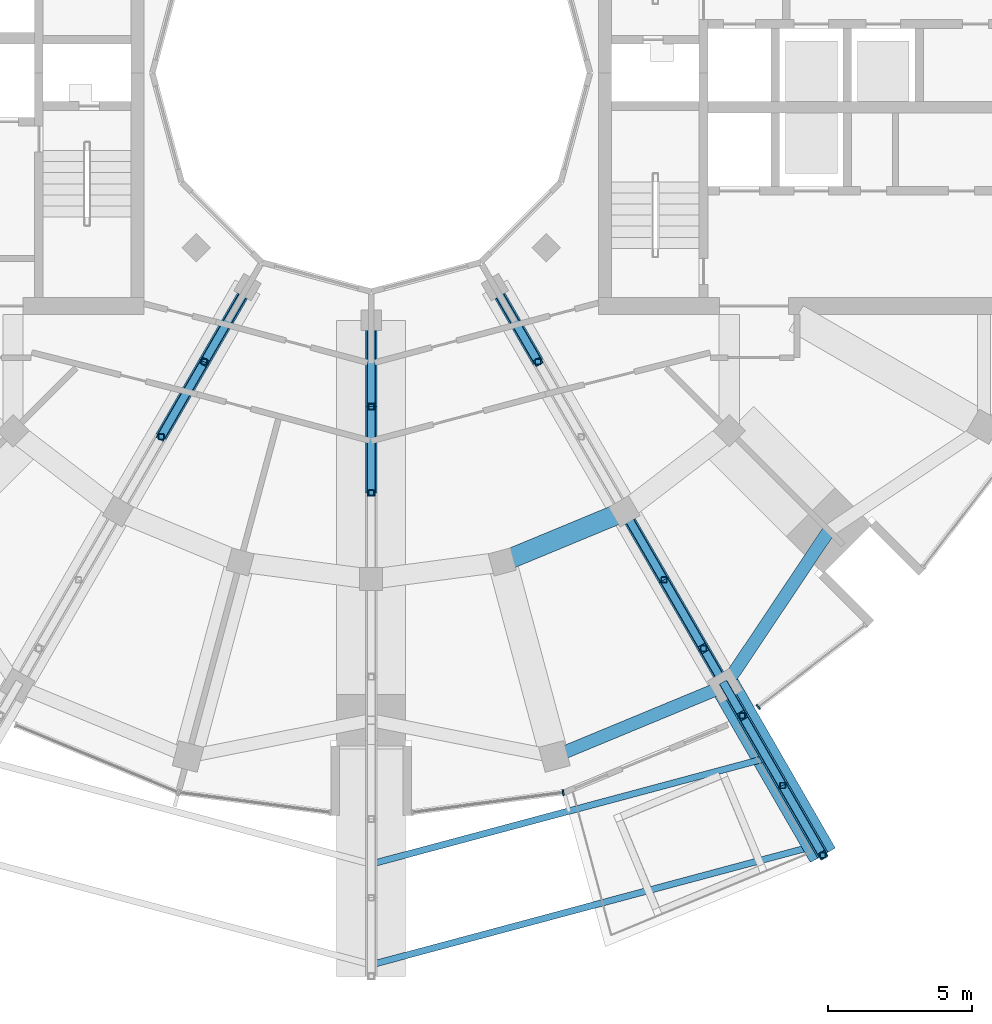
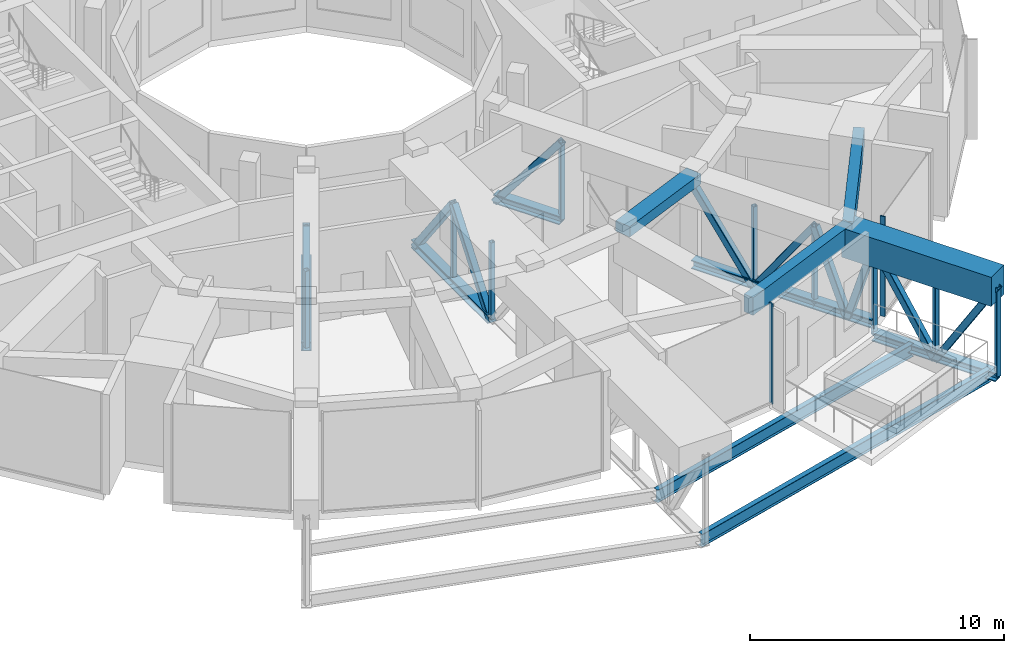
# One storey, part 4 of 17: 34 members, 6 beams, 2 elements without a shape of their own.
"""IFC4 building model written with IfcOpenShell, lengths in metres."""

from ifc_helpers import new_model, si_unit, direction, frame, origin, origin_2d, place, context, subcontext, project, spatial, rectangle, hollow_rectangle, i_section, extrude, material, layer, layer_set, material_profile, profile_set, type_object, element, aggregate, save


model = new_model("IFC4")

# Units and contexts
model_context = context("Model", 3, precision=1e-05, world=origin(), true_north=direction((0.0, 1.0)))
body_context = subcontext(model_context, "Body", "Model", "MODEL_VIEW")
ifc_project = project(units=[si_unit("LENGTHUNIT", "METRE"), si_unit("AREAUNIT", "SQUARE_METRE"), si_unit("VOLUMEUNIT", "CUBIC_METRE"), si_unit("PLANEANGLEUNIT", "RADIAN"), si_unit("MASSUNIT", "GRAM", prefix="KILO")], contexts=[model_context])

# Site, building, storey
site_placement = place(None, origin())
site = spatial("IfcSite", under=ifc_project, at=site_placement, CompositionType="ELEMENT")
building_placement = place(site_placement, origin())
building = spatial("IfcBuilding", under=site, at=building_placement, Name="Torre Brocal", CompositionType="ELEMENT")
storey_placement = place(building_placement, frame((0.0, 0.0, 270.89990234375)))
storey = spatial("IfcBuildingStorey", under=building, at=storey_placement, Name="L62", CompositionType="ELEMENT", Elevation=270.89990234375)

# Curtain wall, member
ifc_material_1 = material(Name="Aluminium and glass", Category="aluminium")
ifc_layer = layer(ifc_material_1, 0.199951171875)
ifc_layer_set = layer_set([ifc_layer], Name="Aluminium and glass")
curtain_wall_type = type_object("IfcCurtainWallType", Name="CW-1 CURTAIN WALL 4800 HIGH", PredefinedType="NOTDEFINED", material=ifc_layer_set)
curtain_wall_1_placement = place(storey_placement, origin())
curtain_wall_1 = element("IfcCurtainWall", 1, at=curtain_wall_1_placement, inside=storey, type_object=curtain_wall_type, Name="CW-1 RUN 19", PredefinedType="NOTDEFINED")
ifc_material_2 = material(Name="Aluminium, dark anodised", Category="aluminium")
ifc_material_profile_1 = material_profile(ifc_material_2, rectangle(XDim=0.199951171875, YDim=0.06005859375, at=origin_2d()), Name="CW-1 MULLION 60X200")
ifc_profile_set_1 = profile_set([ifc_material_profile_1], Name="Aluminium, dark anodised")
member_type_1 = type_object("IfcMemberType", Name="CW-1 MULLION 60X200", PredefinedType="MULLION", material=ifc_profile_set_1)
member_1_placement = place(storey_placement, frame((86.67333984375, 49.9794921875, 0.0), z_axis=(0.0, 0.0, 1.0), x_axis=(-0.13052619222, 0.991444861374, 0.0)))
member_1 = element("IfcMember", 2, at=member_1_placement, type_object=member_type_1, Name="CW1-7 mullion 2", PredefinedType="MULLION", context=body_context, shape_type="SweptSolid", body=[
    extrude(rectangle(XDim=0.199951171875, YDim=0.06005859375, at=origin_2d()), origin(), (0.0, 0.0, 1.0), 4.800048828125),
])
aggregate(curtain_wall_1, [member_1])

curtain_wall_2_placement = place(storey_placement, origin())
curtain_wall_2 = element("IfcCurtainWall", 3, at=curtain_wall_2_placement, inside=storey, type_object=curtain_wall_type, Name="CW-1 RUN 21", PredefinedType="NOTDEFINED")
member_2_placement = place(storey_placement, frame((93.453369140625, 52.957275390625, 0.0), z_axis=(0.0, 0.0, 1.0), x_axis=(-0.608761429119, 0.793353340206, 0.0)))
member_2 = element("IfcMember", 4, at=member_2_placement, type_object=member_type_1, Name="CW1-7 mullion 1", PredefinedType="MULLION", context=body_context, shape_type="SweptSolid", body=[
    extrude(rectangle(XDim=0.199951171875, YDim=0.06005859375, at=origin_2d()), origin(), (0.0, 0.0, 1.0), 4.800048828125),
])
aggregate(curtain_wall_2, [member_2])

# Beams
ifc_material_3 = material(Name="Steel A992", Category="steel")
ifc_material_profile_2 = material_profile(ifc_material_3, i_section(OverallWidth=0.22900390625, OverallDepth=0.612060546875, WebThickness=0.011962890625, FlangeThickness=0.01953125, at=origin_2d()), Name="W24X84")
ifc_profile_set_2 = profile_set([ifc_material_profile_2], Name="Steel A992")
beam_type_1 = type_object("IfcBeamType", Name="POOL CROSS BEAM TOP -300 W24X84", PredefinedType="BEAM", material=ifc_profile_set_2)
beam_1_placement = place(storey_placement, frame((80.0, 47.5, -0.60595703125), z_axis=(0.965925391166, 0.258820669, 0.0), x_axis=(-0.258820669, 0.965925391166, 0.0)))
element("IfcBeam", 5, at=beam_1_placement, inside=storey, type_object=beam_type_1, Name="Beam PX-01", PredefinedType="BEAM", context=body_context, shape_type="SweptSolid", body=[
    extrude(i_section(OverallWidth=0.22900390625, OverallDepth=0.612060546875, WebThickness=0.011962890625, FlangeThickness=0.01953125, at=origin_2d()), origin(), (0.0, 0.0, 1.0), 14.235107421875),
])
beam_2_placement = place(storey_placement, frame((80.0, 44.0, -0.60595703125), z_axis=(0.965924146343, 0.258825314667, 0.0), x_axis=(-0.258825314667, 0.965924146343, 0.0)))
element("IfcBeam", 6, at=beam_2_placement, inside=storey, type_object=beam_type_1, Name="Beam PX-01", PredefinedType="BEAM", context=body_context, shape_type="SweptSolid", body=[
    extrude(i_section(OverallWidth=0.22900390625, OverallDepth=0.612060546875, WebThickness=0.011962890625, FlangeThickness=0.01953125, at=origin_2d()), origin(), (0.0, 0.0, 1.0), 16.046875),
])

# Members
ifc_material_4 = material(Name="Steel A992", Category="steel")
ifc_material_profile_3 = material_profile(ifc_material_4, i_section(OverallWidth=0.406494140625, OverallDepth=0.41650390625, WebThickness=0.030029296875, FlangeThickness=0.048095703125, at=origin_2d()), Name="W14X257")
ifc_profile_set_3 = profile_set([ifc_material_profile_3], Name="Steel A992")
member_type_2 = type_object("IfcMemberType", Name="POOL TRUSS BOTTOM CHORD W14X257", PredefinedType="CHORD", material=ifc_profile_set_3)
for number, where, z_axis, x_axis, name in (
    (7, (75.699951171875, 67.55224609375, 0.091796875), (-0.499990139034, -0.866031096941, 0.0), (0.866031096941, -0.499990139034, 0.0), "Member CT-C01"),
    (8, (74.199951171875, 64.9541015625, 0.091796875), (-0.499990139034, -0.866031096941, 0.0), (0.866031096941, -0.499990139034, 0.0), "Member CT-C02"),
    (9, (80.0, 66.39990234375, 0.091796875), (0.0, -1.0, 0.0), (1.0, 0.0, 0.0), "Member CT-C10"),
    (10, (80.0, 63.39990234375, 0.091796875), (0.0, -1.0, 0.0), (1.0, 0.0, 0.0), "Member CT-C11"),
    (11, (84.300048828125, 67.55224609375, 0.091796875), (0.499990139034, -0.866031096941, 0.0), (0.866031096941, 0.499990139034, 0.0), "Member CT-C19"),
):
    element("IfcMember", number, at=place(storey_placement, frame(where, z_axis=z_axis, x_axis=x_axis)), inside=storey, type_object=member_type_2, Name=name, PredefinedType="CHORD", context=body_context, shape_type="SweptSolid", body=[
        extrude(i_section(OverallWidth=0.406494140625, OverallDepth=0.41650390625, WebThickness=0.030029296875, FlangeThickness=0.048095703125, at=origin_2d()), origin(), (0.0, 0.0, 1.0), 3.0),
    ])
for number, where, z_axis, x_axis, name in (
    (12, (88.800048828125, 59.758056640625, 0.091796875), (0.499996545922, -0.866027397988, 0.0), (0.866027397988, 0.499996545922, 0.0), "Member CT-C22"),
    (13, (90.175048828125, 57.37646484375, 0.091796875), (0.499996545922, -0.866027397988, 0.0), (0.866027397988, 0.499996545922, 0.0), "Member CT-C23"),
):
    element("IfcMember", number, at=place(storey_placement, frame(where, z_axis=z_axis, x_axis=x_axis)), inside=storey, type_object=member_type_2, Name=name, PredefinedType="CHORD", context=body_context, shape_type="SweptSolid", body=[
        extrude(i_section(OverallWidth=0.406494140625, OverallDepth=0.41650390625, WebThickness=0.030029296875, FlangeThickness=0.048095703125, at=origin_2d()), origin(), (0.0, 0.0, 1.0), 2.75),
    ])
member_3_placement = place(storey_placement, frame((91.550048828125, 54.994873046875, 0.091796875), z_axis=(0.499990139034, -0.866031096941, 0.0), x_axis=(0.866031096941, 0.499990139034, 0.0)))
element("IfcMember", 14, at=member_3_placement, inside=storey, type_object=member_type_2, Name="Member CT-C24", PredefinedType="CHORD", context=body_context, shape_type="SweptSolid", body=[
    extrude(i_section(OverallWidth=0.406494140625, OverallDepth=0.41650390625, WebThickness=0.030029296875, FlangeThickness=0.048095703125, at=origin_2d()), origin(), (0.0, 0.0, 1.0), 1.5),
])
member_4_placement = place(storey_placement, frame((92.300048828125, 53.69580078125, 0.091796875), z_axis=(0.499951716245, -0.866053278629, 0.0), x_axis=(0.866053278629, 0.499951716245, 0.0)))
element("IfcMember", 15, at=member_4_placement, inside=storey, type_object=member_type_2, Name="Member CT-C25", PredefinedType="CHORD", context=body_context, shape_type="SweptSolid", body=[
    extrude(i_section(OverallWidth=0.406494140625, OverallDepth=0.41650390625, WebThickness=0.030029296875, FlangeThickness=0.048095703125, at=origin_2d()), origin(), (0.0, 0.0, 1.0), 1.1982421875),
])
for number, where, z_axis, x_axis, name in (
    (16, (92.899169921875, 52.657958984375, -0.50830078125), (0.500001639361, -0.866024457297, 0.0), (0.866024457297, 0.500001639361, 0.0), "Member CT-C26"),
    (17, (94.299560546875, 50.232421875, -0.50830078125), (0.500001639361, -0.866024457297, 0.0), (0.866024457297, 0.500001639361, 0.0), "Member CT-C27"),
):
    element("IfcMember", number, at=place(storey_placement, frame(where, z_axis=z_axis, x_axis=x_axis)), inside=storey, type_object=member_type_2, Name=name, PredefinedType="CHORD", context=body_context, shape_type="SweptSolid", body=[
        extrude(i_section(OverallWidth=0.406494140625, OverallDepth=0.41650390625, WebThickness=0.030029296875, FlangeThickness=0.048095703125, at=origin_2d()), origin(), (0.0, 0.0, 1.0), 2.80078125),
    ])
ifc_material_5 = material(Name="Steel A500 Grade C", Category="steel")
ifc_material_profile_4 = material_profile(ifc_material_5, hollow_rectangle(XDim=0.3046875, YDim=0.3046875, WallThickness=0.014892578125, InnerFilletRadius=0.014892578125, OuterFilletRadius=0.029541015625, at=origin_2d()), Name="HSS12X12X5/8")
ifc_profile_set_4 = profile_set([ifc_material_profile_4], Name="Steel A500 Grade C")
member_type_3 = type_object("IfcMemberType", Name="POOL TRUSS DIAGONAL HSS12X12X5/8", PredefinedType="BRACE", material=ifc_profile_set_4)
for number, where, z_axis, x_axis, name in (
    (18, (75.699951171875, 67.55224609375, -0.116455078125), (-0.305025860226, -0.528334180425, 0.792352332229), (0.866031096941, -0.499990139034, 0.0), "Member CT-D01"),
    (19, (74.199951171875, 64.9541015625, 3.780029296875), (-0.305025860226, -0.528334180425, -0.792352332229), (0.866031096941, -0.499990139034, 0.0), "Member CT-D02"),
):
    element("IfcMember", number, at=place(storey_placement, frame(where, z_axis=z_axis, x_axis=x_axis)), inside=storey, type_object=member_type_3, Name=name, PredefinedType="BRACE", context=body_context, shape_type="SweptSolid", body=[
        extrude(hollow_rectangle(XDim=0.3046875, YDim=0.3046875, WallThickness=0.014892578125, InnerFilletRadius=0.014892578125, OuterFilletRadius=0.029541015625, at=origin_2d()), origin(), (0.0, 0.0, 1.0), 4.917724609375),
    ])
for number, where, z_axis, x_axis, name in (
    (20, (80.0, 66.39990234375, -0.116455078125), (0.0, -0.610056198277, 0.792358148153), (1.0, 0.0, 0.0), "Member CT-D10"),
    (21, (80.0, 63.39990234375, 3.780029296875), (0.0, -0.610056198277, -0.792358148153), (1.0, 0.0, 0.0), "Member CT-D11"),
):
    element("IfcMember", number, at=place(storey_placement, frame(where, z_axis=z_axis, x_axis=x_axis)), inside=storey, type_object=member_type_3, Name=name, PredefinedType="BRACE", context=body_context, shape_type="SweptSolid", body=[
        extrude(hollow_rectangle(XDim=0.3046875, YDim=0.3046875, WallThickness=0.014892578125, InnerFilletRadius=0.014892578125, OuterFilletRadius=0.029541015625, at=origin_2d()), origin(), (0.0, 0.0, 1.0), 4.91748046875),
    ])
member_5_placement = place(storey_placement, frame((84.300048828125, 67.55224609375, -0.116455078125), z_axis=(0.305025860226, -0.528334180425, 0.792352332229), x_axis=(0.866031096941, 0.499990139034, 0.0)))
element("IfcMember", 22, at=member_5_placement, inside=storey, type_object=member_type_3, Name="Member CT-D19", PredefinedType="BRACE", context=body_context, shape_type="SweptSolid", body=[
    extrude(hollow_rectangle(XDim=0.3046875, YDim=0.3046875, WallThickness=0.014892578125, InnerFilletRadius=0.014892578125, OuterFilletRadius=0.029541015625, at=origin_2d()), origin(), (0.0, 0.0, 1.0), 4.917724609375),
])
for number, where, z_axis, x_axis, name in (
    (23, (88.800048828125, 59.758056640625, 3.780029296875), (0.288308778561, -0.499370052355, -0.817011382427), (0.866027397988, 0.499996545922, 0.0), "Member CT-D22"),
    (24, (90.175048828125, 57.37646484375, -0.116455078125), (0.288308778561, -0.499370052355, 0.817011382427), (0.866027397988, 0.499996545922, 0.0), "Member CT-D23"),
):
    element("IfcMember", number, at=place(storey_placement, frame(where, z_axis=z_axis, x_axis=x_axis)), inside=storey, type_object=member_type_3, Name=name, PredefinedType="BRACE", context=body_context, shape_type="SweptSolid", body=[
        extrude(hollow_rectangle(XDim=0.3046875, YDim=0.3046875, WallThickness=0.014892578125, InnerFilletRadius=0.014892578125, OuterFilletRadius=0.029541015625, at=origin_2d()), origin(), (0.0, 0.0, 1.0), 4.769287109375),
    ])
member_6_placement = place(storey_placement, frame((91.550048828125, 54.994873046875, 3.780029296875), z_axis=(0.17963013398, -0.311136700164, -0.933234680441), x_axis=(0.866031096941, 0.499990139034, 0.0)))
element("IfcMember", 25, at=member_6_placement, inside=storey, type_object=member_type_3, Name="Member CT-D24", PredefinedType="BRACE", context=body_context, shape_type="SweptSolid", body=[
    extrude(hollow_rectangle(XDim=0.3046875, YDim=0.3046875, WallThickness=0.014892578125, InnerFilletRadius=0.014892578125, OuterFilletRadius=0.029541015625, at=origin_2d()), origin(), (0.0, 0.0, 1.0), 4.17529296875),
])
member_7_placement = place(storey_placement, frame((92.300048828125, 53.69580078125, -0.116455078125), z_axis=(0.146965944968, -0.254585261637, 0.955817637197), x_axis=(0.866053278629, 0.499951716245, 0.0)))
element("IfcMember", 26, at=member_7_placement, inside=storey, type_object=member_type_3, Name="Member CT-D25", PredefinedType="BRACE", context=body_context, shape_type="SweptSolid", body=[
    extrude(hollow_rectangle(XDim=0.3046875, YDim=0.3046875, WallThickness=0.014892578125, InnerFilletRadius=0.014892578125, OuterFilletRadius=0.029541015625, at=origin_2d()), origin(), (0.0, 0.0, 1.0), 4.07666015625),
])
for number, where, z_axis, x_axis, name in (
    (27, (92.899169921875, 52.657958984375, 3.780029296875), (0.264349019583, -0.457863931233, -0.848811060438), (0.866024457297, 0.500001639361, 0.0), "Member CT-D26"),
    (28, (94.299560546875, 50.232421875, -0.716552734375), (0.264349019583, -0.457863931233, 0.848811060438), (0.866024457297, 0.500001639361, 0.0), "Member CT-D27"),
):
    element("IfcMember", number, at=place(storey_placement, frame(where, z_axis=z_axis, x_axis=x_axis)), inside=storey, type_object=member_type_3, Name=name, PredefinedType="BRACE", context=body_context, shape_type="SweptSolid", body=[
        extrude(hollow_rectangle(XDim=0.3046875, YDim=0.3046875, WallThickness=0.014892578125, InnerFilletRadius=0.014892578125, OuterFilletRadius=0.029541015625, at=origin_2d()), origin(), (0.0, 0.0, 1.0), 5.297607421875),
    ])
ifc_material_6 = material(Name="Steel A500 Grade C", Category="steel")
ifc_material_profile_5 = material_profile(ifc_material_6, hollow_rectangle(XDim=0.203125, YDim=0.203125, WallThickness=0.01171875, InnerFilletRadius=0.01171875, OuterFilletRadius=0.023681640625, at=origin_2d()), Name="HSS8X8X1/2")
ifc_profile_set_5 = profile_set([ifc_material_profile_5], Name="Steel A500 Grade C")
member_type_4 = type_object("IfcMemberType", Name="POOL TRUSS POST INSIDE HSS8X8X1/2", PredefinedType="POST", material=ifc_profile_set_5)
for number, where, z_axis, x_axis, name in (
    (29, (74.199951171875, 64.9541015625, 0.091796875), (0.0, 0.0, 1.0), (1.0, 0.0, 0.0), "Member CT-P01"),
    (30, (72.699951171875, 62.35595703125, 0.091796875), (0.0, 0.0, 1.0), (1.0, 0.0, 0.0), "Member CT-P02"),
    (31, (80.0, 63.39990234375, 0.091796875), (0.0, 0.0, 1.0), (1.0, 0.0, 0.0), "Member CT-P08"),
    (32, (80.0, 60.39990234375, 0.091796875), (0.0, 0.0, 1.0), (1.0, 0.0, 0.0), "Member CT-P09"),
    (33, (85.800048828125, 64.9541015625, 0.091796875), (0.0, 0.0, 1.0), (1.0, 0.0, 0.0), "Member CT-P14"),
    (34, (90.175048828125, 57.37646484375, 0.091796875), (0.0, 0.0, 1.0), (1.0, 0.0, 0.0), "Member CT-P16"),
    (35, (91.550048828125, 54.994873046875, 0.091796875), (0.0, 0.0, 1.0), (1.0, 0.0, 0.0), "Member CT-P17"),
):
    element("IfcMember", number, at=place(storey_placement, frame(where, z_axis=z_axis, x_axis=x_axis)), inside=storey, type_object=member_type_4, Name=name, PredefinedType="POST", context=body_context, shape_type="SweptSolid", body=[
        extrude(hollow_rectangle(XDim=0.203125, YDim=0.203125, WallThickness=0.01171875, InnerFilletRadius=0.01171875, OuterFilletRadius=0.023681640625, at=origin_2d()), origin(), (0.0, 0.0, 1.0), 3.688232421875),
    ])
member_8_placement = place(storey_placement, frame((92.899169921875, 52.657958984375, -0.50830078125), z_axis=(0.0, 0.0, 1.0), x_axis=(1.0, 0.0, 0.0)))
element("IfcMember", 36, at=member_8_placement, inside=storey, type_object=member_type_4, Name="Member CT-P18", PredefinedType="POST", context=body_context, shape_type="SweptSolid", body=[
    extrude(hollow_rectangle(XDim=0.203125, YDim=0.203125, WallThickness=0.01171875, InnerFilletRadius=0.01171875, OuterFilletRadius=0.023681640625, at=origin_2d()), origin(), (0.0, 0.0, 1.0), 4.288330078125),
])
ifc_material_7 = material(Name="Steel A500 Grade C", Category="steel")
ifc_material_profile_6 = material_profile(ifc_material_7, hollow_rectangle(XDim=0.203125, YDim=0.203125, WallThickness=0.01171875, InnerFilletRadius=0.01171875, OuterFilletRadius=0.023681640625, at=origin_2d()), Name="HSS8X8X1/2")
ifc_profile_set_6 = profile_set([ifc_material_profile_6], Name="Steel A500 Grade C")
member_type_5 = type_object("IfcMemberType", Name="POOL TRUSS POST OUTSIDE HSS8X8X1/2", PredefinedType="POST", material=ifc_profile_set_6)
for number, where, z_axis, x_axis, name in (
    (37, (94.299560546875, 50.232421875, -0.50830078125), (0.0, 0.0, 1.0), (1.0, 0.0, 0.0), "Member CT-P19"),
    (38, (95.699951171875, 47.806884765625, -0.50830078125), (0.0, 0.0, 1.0), (1.0, 0.0, 0.0), "Member CT-P20"),
):
    element("IfcMember", number, at=place(storey_placement, frame(where, z_axis=z_axis, x_axis=x_axis)), inside=storey, type_object=member_type_5, Name=name, PredefinedType="POST", context=body_context, shape_type="SweptSolid", body=[
        extrude(hollow_rectangle(XDim=0.203125, YDim=0.203125, WallThickness=0.01171875, InnerFilletRadius=0.01171875, OuterFilletRadius=0.023681640625, at=origin_2d()), origin(), (0.0, 0.0, 1.0), 4.288330078125),
    ])

# Beams
ifc_material_8 = material(Name="Concrete C50", Category="concrete")
ifc_material_profile_7 = material_profile(ifc_material_8, rectangle(XDim=0.699951171875, YDim=0.5, at=origin_2d()), Name="RC 700X500")
ifc_profile_set_7 = profile_set([ifc_material_profile_7], Name="Concrete C50")
beam_type_2 = type_object("IfcBeamType", Name="RC BEAM 700X500 C50 TOP 4480", PredefinedType="BEAM", material=ifc_profile_set_7)
beam_3_placement = place(storey_placement, frame((84.55517578125, 57.999755859375, 4.22998046875), z_axis=(0.923878240166, 0.382686552348, 0.0), x_axis=(-0.382686552348, 0.923878240166, 0.0)))
element("IfcBeam", 39, at=beam_3_placement, inside=storey, type_object=beam_type_2, Name="Beam BT-45", PredefinedType="BEAM", context=body_context, shape_type="SweptSolid", body=[
    extrude(rectangle(XDim=0.699951171875, YDim=0.5, at=origin_2d()), origin(), (0.0, 0.0, 1.0), 4.5947265625),
])
ifc_material_9 = material(Name="Concrete C50", Category="concrete")
ifc_material_profile_8 = material_profile(ifc_material_9, rectangle(XDim=0.449951171875, YDim=0.85009765625, at=origin_2d()), Name="RC 450X850")
ifc_profile_set_8 = profile_set([ifc_material_profile_8], Name="Concrete C50")
beam_type_3 = type_object("IfcBeamType", Name="RC SPANDREL BEAM 450X850 C50 TOP 4480", PredefinedType="SPANDREL", material=ifc_profile_set_8)
beam_4_placement = place(storey_placement, frame((86.366943359375, 51.23828125, 4.05517578125), z_axis=(0.923882462513, 0.382676358639, 0.0), x_axis=(-0.382676358639, 0.923882462513, 0.0)))
element("IfcBeam", 40, at=beam_4_placement, inside=storey, type_object=beam_type_3, Name="Beam BT-46", PredefinedType="SPANDREL", context=body_context, shape_type="SweptSolid", body=[
    extrude(rectangle(XDim=0.449951171875, YDim=0.85009765625, at=origin_2d()), origin(), (0.0, 0.0, 1.0), 6.421875),
])
beam_5_placement = place(storey_placement, frame((92.300048828125, 53.69580078125, 4.05517578125), z_axis=(0.556157602282, 0.831076844476, 0.0), x_axis=(-0.831076844476, 0.556157602282, 0.0)))
element("IfcBeam", 41, at=beam_5_placement, inside=storey, type_object=beam_type_3, Name="Beam BT-46", PredefinedType="SPANDREL", context=body_context, shape_type="SweptSolid", body=[
    extrude(rectangle(XDim=0.449951171875, YDim=0.85009765625, at=origin_2d()), origin(), (0.0, 0.0, 1.0), 6.49072265625),
])
ifc_material_10 = material(Name="Concrete C60", Category="concrete")
ifc_material_profile_9 = material_profile(ifc_material_10, rectangle(XDim=1.0, YDim=1.39990234375, at=origin_2d()), Name="RC 1000X1400")
ifc_profile_set_9 = profile_set([ifc_material_profile_9], Name="Concrete C60")
beam_type_4 = type_object("IfcBeamType", Name="RC TRANSFER GIRDER 1000X1400 C60 TOP 4480", PredefinedType="BEAM", material=ifc_profile_set_9)
beam_6_placement = place(storey_placement, frame((92.300048828125, 53.69580078125, 3.780029296875), z_axis=(0.499992841449, -0.866029536736, 0.0), x_axis=(0.866029536736, 0.499992841449, 0.0)))
element("IfcBeam", 42, at=beam_6_placement, inside=storey, type_object=beam_type_4, Name="Beam TG-16", PredefinedType="BEAM", context=body_context, shape_type="SweptSolid", body=[
    extrude(rectangle(XDim=1.0, YDim=1.39990234375, at=origin_2d()), origin(), (0.0, 0.0, 1.0), 6.7998046875),
])

save(model, "model.ifc")
